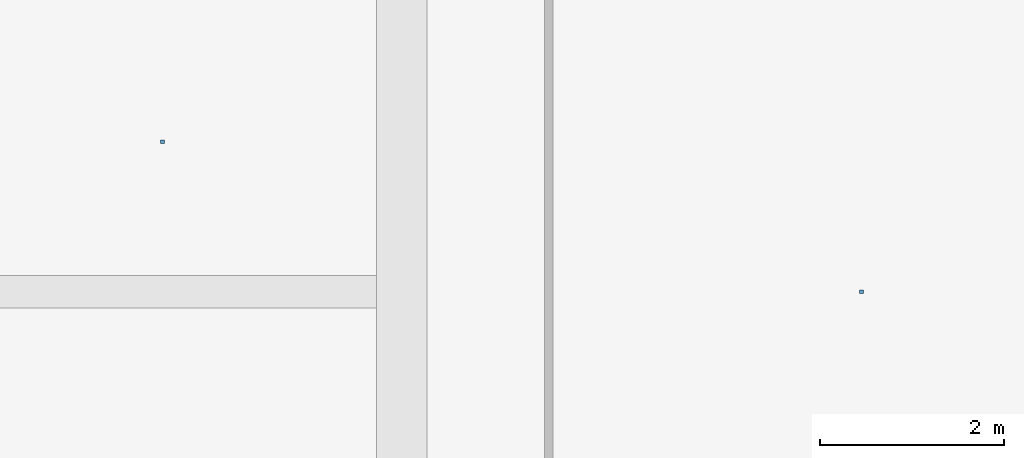
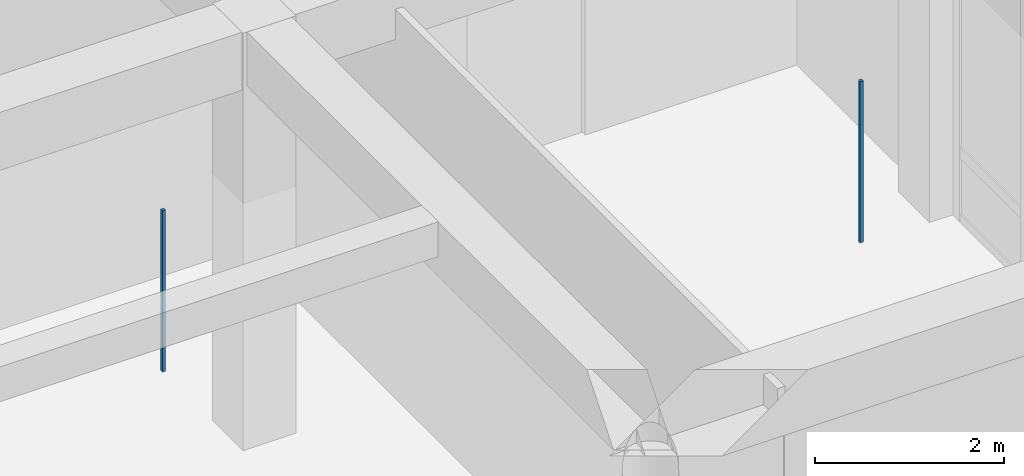
# One storey, part 111 of 167: 2 discrete accessories.
"""IFC4 building model written with IfcOpenShell, lengths in metres."""

from ifc_helpers import new_model, si_unit, direction, frame, origin, origin_2d, place, context, subcontext, project, spatial, rectangle, extrude, material, type_object, element, save


model = new_model("IFC4")

# Units and contexts
model_context = context("Model", 3, precision=1e-05, world=origin(), true_north=direction((0.0, 1.0)))
body_context = subcontext(model_context, "Body", "Model", "MODEL_VIEW")
ifc_project = project(units=[si_unit("LENGTHUNIT", "METRE"), si_unit("AREAUNIT", "SQUARE_METRE"), si_unit("VOLUMEUNIT", "CUBIC_METRE"), si_unit("PLANEANGLEUNIT", "RADIAN"), si_unit("MASSUNIT", "GRAM", prefix="KILO")], contexts=[model_context])

# Site, building, storey
site_placement = place(None, origin())
site = spatial("IfcSite", under=ifc_project, at=site_placement, CompositionType="ELEMENT")
building_placement = place(site_placement, origin())
building = spatial("IfcBuilding", under=site, at=building_placement, Name="Varncliffe General Hospital", CompositionType="ELEMENT")
storey_placement = place(building_placement, origin())
storey = spatial("IfcBuildingStorey", under=building, at=storey_placement, Name="L00", CompositionType="ELEMENT", Elevation=0.0)

# Discrete accessories
ifc_material = material(Name="Powder-coated hospital steel guardrail and handrail", Category="steel")
discrete_accessory_type = type_object("IfcDiscreteAccessoryType", Name="Suspended Ceiling Hanger Bracket CH01", PredefinedType="BRACKET", material=ifc_material)
for number, where, z_axis, x_axis, name in (
    (1, (106.60009765625, 80.22998046875, 3.18994140625), (0.0, 0.0, 1.0), (1.0, 0.0, 0.0), "L00 Suspended Ceiling Hanger 47"),
    (2, (114.199951171875, 78.60009765625, 3.18994140625), (0.0, 0.0, 1.0), (1.0, 0.0, 0.0), "L00 Suspended Ceiling Hanger 48"),
):
    element("IfcDiscreteAccessory", number, at=place(storey_placement, frame(where, z_axis=z_axis, x_axis=x_axis)), inside=storey, type_object=discrete_accessory_type, Name=name, PredefinedType="BRACKET", context=body_context, shape_type="SweptSolid", body=[
        extrude(rectangle(XDim=0.0400390625, YDim=0.0400390625, at=origin_2d()), origin(), (0.0, 0.0, 1.0), 2.090087890625),
    ])

save(model, "model.ifc")
